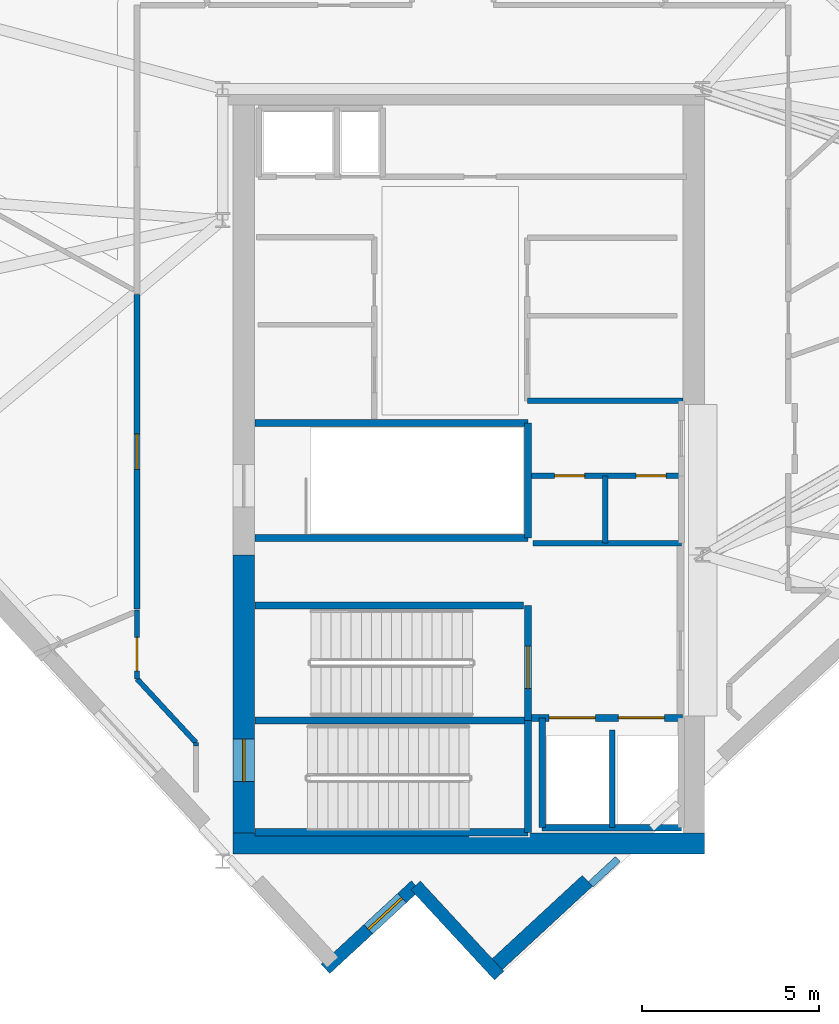
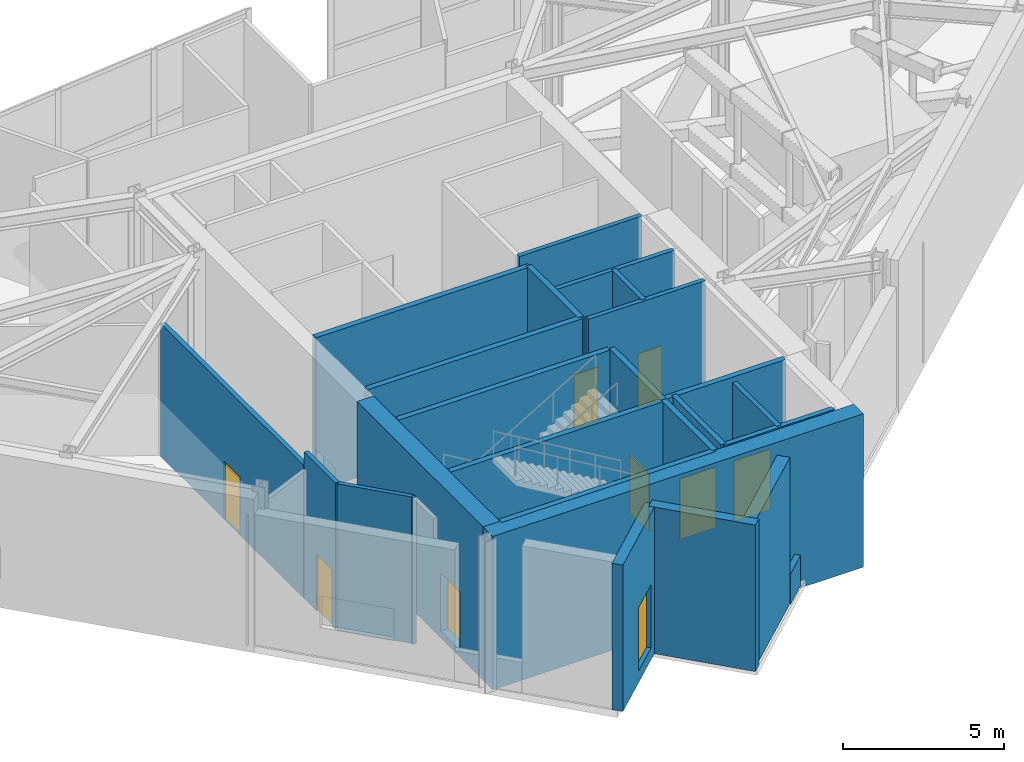
# One storey, part 9 of 15: 26 walls, 8 doors, 1 window, 9 openings.
"""IFC4 building model written with IfcOpenShell, lengths in metres."""

import ifcopenshell
import ifcopenshell.guid

model = None  # the IFC model being written
_history = None  # IfcOwnerHistory: only IFC2X3 demands one
_inside = {}  # id of a spatial element -> (the spatial element, [elements in it])
_under = {}  # id of a project, library or spatial element -> (it, [spatial elements below it])
_declared = {}  # id of a project -> (the project, [libraries it declares])
_typed = {}  # id of a type object -> (the type object, [elements of that type])
_made_of = {}  # id of a material, layer set ... -> (it, [elements and type objects made of it])


def new_model(schema):
    """Start an empty IFC model of exactly this schema.

    Asked for "IFC4X3", IfcOpenShell would pick the latest addendum, in which some entities
    have other attributes; the version numbers below select the first issue.
    IFC2X3 requires an IfcOwnerHistory on every rooted entity: one is made here for all.
    """
    global model, _history
    if schema == "IFC4X3":
        model = ifcopenshell.file(schema_version=(4, 3, 0, 0))
    else:
        model = ifcopenshell.file(schema=schema)
    _inside.clear()
    _under.clear()
    _declared.clear()
    _typed.clear()
    _made_of.clear()
    _history = None
    if model.schema == "IFC2X3":
        org = make("IfcOrganization", Name="unknown")
        user = make(
            "IfcPersonAndOrganization",
            ThePerson=make("IfcPerson", FamilyName="unknown"),
            TheOrganization=org,
        )
        app = make(
            "IfcApplication",
            ApplicationDeveloper=org,
            Version="unknown",
            ApplicationFullName="unknown",
            ApplicationIdentifier="unknown",
        )
        _history = make(
            "IfcOwnerHistory",
            OwningUser=user,
            OwningApplication=app,
            ChangeAction="ADDED",
            CreationDate=0,
        )
    return model


def make(cls, **values):
    """One entity of the class cls with the attributes given. An attribute that is None is left unset."""
    return model.create_entity(
        cls, **{name: value for name, value in values.items() if value is not None}
    )


def rooted(cls, **values):
    """An entity with a GlobalId (a new one), such as an element, a storey or a relation."""
    return make(cls, GlobalId=ifcopenshell.guid.new(), OwnerHistory=_history, **values)


def si_unit(unit_type, name, prefix=None):
    """IfcSIUnit, for example si_unit("LENGTHUNIT", "METRE", prefix="MILLI")."""
    return make("IfcSIUnit", UnitType=unit_type, Prefix=prefix, Name=name)


def assignment(units):
    """IfcUnitAssignment: the units of a project."""
    return None if units is None else make("IfcUnitAssignment", Units=units)


def point(xyz):
    """IfcCartesianPoint."""
    return None if xyz is None else make("IfcCartesianPoint", Coordinates=xyz)


def direction(xyz):
    """IfcDirection."""
    return None if xyz is None else make("IfcDirection", DirectionRatios=xyz)


def frame(location, z_axis=None, x_axis=None):
    """IfcAxis2Placement3D, a coordinate frame: its origin and axes. An axis left out is left unset."""
    return make(
        "IfcAxis2Placement3D",
        Location=point(location),
        Axis=direction(z_axis),
        RefDirection=direction(x_axis),
    )


def frame_2d(location, x_axis=None):
    """IfcAxis2Placement2D, a coordinate frame in the plane: its origin and x axis."""
    return make(
        "IfcAxis2Placement2D", Location=point(location), RefDirection=direction(x_axis)
    )


def origin():
    """The frame at (0, 0, 0) with its axes left unset."""
    return frame((0.0, 0.0, 0.0))


def place(relative_to, where):
    """IfcLocalPlacement: puts the frame where relative to a parent placement (None: the world)."""
    return make(
        "IfcLocalPlacement", PlacementRelTo=relative_to, RelativePlacement=where
    )


def context(
    kind, dimensions, precision=None, world=None, true_north=None, identifier=None
):
    """IfcGeometricRepresentationContext, for example the 3D "Model" context."""
    return make(
        "IfcGeometricRepresentationContext",
        ContextIdentifier=identifier,
        ContextType=kind,
        CoordinateSpaceDimension=dimensions,
        Precision=precision,
        WorldCoordinateSystem=world,
        TrueNorth=true_north,
    )


def subcontext(parent, identifier, kind, view, scale=None):
    """IfcGeometricRepresentationSubContext, for example "Body" below "Model"."""
    return make(
        "IfcGeometricRepresentationSubContext",
        ContextIdentifier=identifier,
        ContextType=kind,
        ParentContext=parent,
        TargetScale=scale,
        TargetView=view,
    )


def project(units=None, contexts=None):
    """IfcProject with its units and contexts."""
    return rooted(
        "IfcProject",
        Name="project",
        RepresentationContexts=contexts,
        UnitsInContext=assignment(units),
    )


def spatial(cls, under=None, at=None, **own):
    """A site, building, storey or space (cls), placed at a placement, below another one or the project."""
    s = rooted(cls, ObjectPlacement=at, **own)
    if under is not None:
        _under.setdefault(under.id(), (under, []))[1].append(s)
    return s


def profile(cls, at=None, kind="AREA", **sizes):
    """A parametric profile (cls). Its sizes go by their IFC names, for example OverallWidth=200.0."""
    return make(cls, ProfileType=kind, Position=at, **sizes)


def rectangle(**sizes):
    """IfcRectangleProfileDef."""
    return profile("IfcRectangleProfileDef", **sizes)


def extrude(swept, where, along, depth):
    """IfcExtrudedAreaSolid: the profile swept, set in the frame where, extruded along a direction by depth."""
    return make(
        "IfcExtrudedAreaSolid",
        SweptArea=swept,
        Position=where,
        ExtrudedDirection=direction(along),
        Depth=depth,
    )


def shape(context_of_items, identifier, shape_type, items):
    """IfcShapeRepresentation: the items that make up one representation, for example the "Body"."""
    return make(
        "IfcShapeRepresentation",
        ContextOfItems=context_of_items,
        RepresentationIdentifier=identifier,
        RepresentationType=shape_type,
        Items=items,
    )


def material(Name=None, Category=None):
    """IfcMaterial."""
    return make("IfcMaterial", Name=Name, Category=Category)


def layer(
    of_material, thickness, ventilated=None, Name=None, Category=None, Priority=None
):
    """IfcMaterialLayer: one layer of a wall or slab, of a material (None: an air gap)."""
    return make(
        "IfcMaterialLayer",
        Material=of_material,
        LayerThickness=thickness,
        IsVentilated=ventilated,
        Name=Name,
        Category=Category,
        Priority=Priority,
    )


def layer_set(layers, Name=None):
    """IfcMaterialLayerSet."""
    return make("IfcMaterialLayerSet", MaterialLayers=layers, LayerSetName=Name)


def made_of(thing, what):
    """Note that an element or type object is made of a material, layer set ...; save() writes the relation."""
    if what is not None:
        _made_of.setdefault(what.id(), (what, []))[1].append(thing)
    return thing


def type_object(cls, material=None, **own):
    """A type object (cls), such as IfcWallType, which elements share."""
    return made_of(rooted(cls, **own), material)


def element(
    cls,
    number,
    at=None,
    inside=None,
    cuts=None,
    type_object=None,
    material=None,
    context=None,
    identifier="Body",
    shape_type=None,
    held_by="IfcProductDefinitionShape",
    body=None,
    shapes=None,
    **own,
):
    """One element of the class cls, such as IfcWall. Its Tag is "e" and its number.

    at: its placement. inside: the storey or other place that contains it. cuts: it is an
    opening in that element (IfcRelVoidsElement). A single representation is given by context,
    identifier, shape_type and body (its items); several are given by shapes. held_by: the class
    of the entity that holds the representations. save() writes the other relations.
    """
    e = rooted(cls, Tag="e%d" % number, ObjectPlacement=at, **own)
    if body is not None:
        shapes = [shape(context, identifier, shape_type, body)]
    if shapes is not None:
        e.Representation = make(held_by, Representations=shapes)
    if inside is not None:
        _inside.setdefault(inside.id(), (inside, []))[1].append(e)
    if cuts is not None:
        rooted(
            "IfcRelVoidsElement", RelatingBuildingElement=cuts, RelatedOpeningElement=e
        )
    if type_object is not None:
        _typed.setdefault(type_object.id(), (type_object, []))[1].append(e)
    return made_of(e, material)


def fill(opening, filler):
    """IfcRelFillsElement: the door or window that sits in an opening."""
    return rooted(
        "IfcRelFillsElement",
        RelatingOpeningElement=opening,
        RelatedBuildingElement=filler,
    )


def aggregate(whole, parts):
    """IfcRelAggregates: a whole, such as a stair, and the parts it consists of."""
    return rooted("IfcRelAggregates", RelatingObject=whole, RelatedObjects=parts)


def save(model, path):
    """Write the relations noted so far, then the file.

    IfcRelAggregates (storeys below a building ...), IfcRelContainedInSpatialStructure (elements
    in a storey), IfcRelDefinesByType, IfcRelAssociatesMaterial and IfcRelDeclares: one each for
    every whole, place, type object, material and project.
    """
    for whole, parts in _under.values():
        aggregate(whole, parts)
    for where, things in _inside.values():
        rooted(
            "IfcRelContainedInSpatialStructure",
            RelatedElements=things,
            RelatingStructure=where,
        )
    for kind, things in _typed.values():
        rooted("IfcRelDefinesByType", RelatedObjects=things, RelatingType=kind)
    for what, things in _made_of.values():
        rooted("IfcRelAssociatesMaterial", RelatedObjects=things, RelatingMaterial=what)
    for by, libraries in _declared.values():
        rooted("IfcRelDeclares", RelatingContext=by, RelatedDefinitions=libraries)
    model.write(path)


model = new_model("IFC4")

# Units and contexts
model_context = context("Model", 3, precision=1e-05, world=origin(), true_north=direction((0.0, 1.0)))
body_context = subcontext(model_context, "Body", "Model", "MODEL_VIEW")
ifc_project = project(units=[si_unit("LENGTHUNIT", "METRE"), si_unit("AREAUNIT", "SQUARE_METRE"), si_unit("VOLUMEUNIT", "CUBIC_METRE"), si_unit("PLANEANGLEUNIT", "RADIAN"), si_unit("MASSUNIT", "GRAM", prefix="KILO")], contexts=[model_context])

# Site, building, storey
site_placement = place(None, origin())
site = spatial("IfcSite", under=ifc_project, at=site_placement, CompositionType="ELEMENT")
building_placement = place(site_placement, origin())
building = spatial("IfcBuilding", under=site, at=building_placement, Name="Narakoshi Arena Tower", CompositionType="ELEMENT")
storey_placement = place(building_placement, frame((0.0, 0.0, 292.419921875)))
storey = spatial("IfcBuildingStorey", under=building, at=storey_placement, Name="L80", CompositionType="ELEMENT", Elevation=292.419921875)

# Wall, opening, door
ifc_material_1 = material(Name="Concrete C50/60", Category="concrete")
ifc_layer_1 = layer(ifc_material_1, 0.60009765625)
ifc_layer_set_1 = layer_set([ifc_layer_1], Name="Concrete C50/60")
wall_type_1 = type_object("IfcWallType", Name="WL-CORE-600", PredefinedType="SHEAR", material=ifc_layer_set_1)
wall_1_placement = place(storey_placement, frame((72.60009765625, 35.5, -0.260009765625), z_axis=(0.0, 0.0, 1.0), x_axis=(0.0, 1.0, 0.0)))
wall_1 = element("IfcWall", 1, at=wall_1_placement, inside=storey, type_object=wall_type_1, Name="L80 Central Core Shear Wall CW-APX-W", PredefinedType="SHEAR", context=body_context, shape_type="SweptSolid", body=[
    extrude(rectangle(XDim=7.85009765625, YDim=0.60009765625, at=frame_2d((3.925048828125, 0.0))), origin(), (0.0, 0.0, 1.0), 5.820068359375),
])
opening_1_placement = place(wall_1_placement, frame((1.449951171875, 0.0, 0.260009765625)))
opening_1 = element("IfcOpeningElement", 2, at=opening_1_placement, cuts=wall_1, Name="Opening D-03", PredefinedType="OPENING", context=body_context, shape_type="SweptSolid", body=[
    extrude(rectangle(XDim=1.199951171875, YDim=2.199951171875, at=frame_2d((0.60009765625, 1.10009765625))), frame((0.0, 0.31005859375, 0.0), z_axis=(0.0, -1.0, 0.0), x_axis=(1.0, 0.0, 0.0)), (0.0, 0.0, 1.0), 0.6201171875),
])
ifc_material_2 = material(Name="Painted galvanized steel", Category="steel")
door_type_1 = type_object("IfcDoorType", Name="DR-STR-1200", OperationType="NOTDEFINED", PredefinedType="USERDEFINED", material=ifc_material_2)
door_1_placement = place(opening_1_placement, frame((1.199951171875, 0.0, 0.0), z_axis=(0.0, 0.0, 1.0), x_axis=(-1.0, 0.0, 0.0)))
door_1 = element("IfcDoor", 3, at=door_1_placement, inside=storey, type_object=door_type_1, Name="DR-L80-001", ObjectType="EXITDOOR", OperationType="SINGLE_SWING_LEFT", OverallHeight=2.199951171875, OverallWidth=1.199951171875, PredefinedType="USERDEFINED", context=body_context, shape_type="SweptSolid", body=[
    extrude(rectangle(XDim=1.199951171875, YDim=2.199951171875, at=frame_2d((0.60009765625, 1.10009765625))), frame((0.0, 0.02490234375, 0.0), z_axis=(0.0, -1.0, 0.0), x_axis=(1.0, 0.0, 0.0)), (0.0, 0.0, 1.0), 0.050048828125),
])
fill(opening_1, door_1)

# Wall
wall_2_placement = place(storey_placement, frame((72.300048828125, 35.199951171875, -0.260009765625), z_axis=(0.0, 0.0, 1.0), x_axis=(1.0, 0.0, 0.0)))
element("IfcWall", 4, at=wall_2_placement, inside=storey, type_object=wall_type_1, Name="L80 Central Core Shear Wall CW-APX-S", PredefinedType="SHEAR", context=body_context, shape_type="SweptSolid", body=[
    extrude(rectangle(XDim=13.300048828125, YDim=0.60009765625, at=frame_2d((6.64990234375, 0.0))), origin(), (0.0, 0.0, 1.0), 5.820068359375),
])

# Wall, opening, door
ifc_material_3 = material(Name="Gypsum plasterboard fire-rated partition")
ifc_layer_2 = layer(ifc_material_3, 0.1650390625)
ifc_layer_set_2 = layer_set([ifc_layer_2], Name="Gypsum plasterboard fire-rated partition")
wall_type_2 = type_object("IfcWallType", Name="WL-CORR-165", PredefinedType="PARTITIONING", material=ifc_layer_set_2)
wall_3_placement = place(storey_placement, frame((69.583251953125, 50.705810546875, 0.0), z_axis=(0.0, 0.0, 1.0), x_axis=(0.0, -1.0, 0.0)))
wall_3 = element("IfcWall", 5, at=wall_3_placement, inside=storey, type_object=wall_type_2, Name="L80 Corridor Partition 09-1", PredefinedType="PARTITIONING", context=body_context, shape_type="SweptSolid", body=[
    extrude(rectangle(XDim=8.88232421875, YDim=0.1650390625, at=frame_2d((4.441162109375, 0.0))), origin(), (0.0, 0.0, 1.0), 5.045166015625),
])
opening_2_placement = place(wall_3_placement, frame((3.941162109375, 0.0, 0.0)))
opening_2 = element("IfcOpeningElement", 6, at=opening_2_placement, cuts=wall_3, Name="Opening D-06", PredefinedType="OPENING", context=body_context, shape_type="SweptSolid", body=[
    extrude(rectangle(XDim=1.0, YDim=2.199951171875, at=frame_2d((0.5, 1.10009765625))), frame((0.0, 0.092529296875, 0.0), z_axis=(0.0, -1.0, 0.0), x_axis=(1.0, 0.0, 0.0)), (0.0, 0.0, 1.0), 0.18505859375),
])
ifc_material_4 = material(Name="Stained oak solid-core timber", Category="wood")
door_type_2 = type_object("IfcDoorType", Name="DR-OFF-1000", OperationType="NOTDEFINED", PredefinedType="DOOR", material=ifc_material_4)
door_2_placement = place(opening_2_placement, frame((1.0, 0.0, 0.0), z_axis=(0.0, 0.0, 1.0), x_axis=(-1.0, 0.0, 0.0)))
door_2 = element("IfcDoor", 7, at=door_2_placement, inside=storey, type_object=door_type_2, Name="DR-L80-025", OperationType="SINGLE_SWING_RIGHT", OverallHeight=2.199951171875, OverallWidth=1.0, PredefinedType="DOOR", context=body_context, shape_type="SweptSolid", body=[
    extrude(rectangle(XDim=1.0, YDim=2.199951171875, at=frame_2d((0.5, 1.10009765625))), frame((0.0, 0.02490234375, 0.0), z_axis=(0.0, -1.0, 0.0), x_axis=(1.0, 0.0, 0.0)), (0.0, 0.0, 1.0), 0.050048828125),
])
fill(opening_2, door_2)

# Walls
ifc_material_5 = material(Name="Precast concrete C45/55", Category="concrete")
ifc_layer_3 = layer(ifc_material_5, 0.25)
ifc_layer_set_3 = layer_set([ifc_layer_3], Name="Precast concrete C45/55")
wall_type_3 = type_object("IfcWallType", Name="WL-PARA-250", PredefinedType="PARAPET", material=ifc_layer_set_3)
wall_4_placement = place(storey_placement, frame((83.15625, 34.760009765625, 0.0), z_axis=(0.0, 0.0, 1.0), x_axis=(-0.734364355784, -0.678755473609, 0.0)))
element("IfcWall", 8, at=wall_4_placement, inside=storey, type_object=wall_type_3, Name="L80 Crown Sill Upstand Parapet 05", PredefinedType="PARAPET", context=body_context, shape_type="SweptSolid", body=[
    extrude(rectangle(XDim=1.044921875, YDim=0.199951171875, at=frame_2d((0.5224609375, 0.0))), origin(), (0.0, 0.0, 1.0), 1.150146484375),
])
ifc_layer_4 = layer(ifc_material_5, 0.419921875)
ifc_layer_set_4 = layer_set([ifc_layer_4], Name="Precast concrete C45/55")
wall_type_4 = type_object("IfcWallType", Name="WL-POD-420", PredefinedType="SOLIDWALL", material=ifc_layer_set_4)
wall_5_placement = place(storey_placement, frame((79.618896484375, 31.674072265625, 0.0), z_axis=(0.0, 0.0, 1.0), x_axis=(0.734338793707, 0.678783128884, 0.0)))
element("IfcWall", 9, at=wall_5_placement, inside=storey, type_object=wall_type_4, Name="L80 Architectural Concrete Facade Wall LEGA-1", PredefinedType="SOLIDWALL", context=body_context, shape_type="SweptSolid", body=[
    extrude(rectangle(XDim=3.6474609375, YDim=0.419921875, at=frame_2d((1.82373046875, 0.0))), origin(), (0.0, 0.0, 1.0), 5.56005859375),
])

# Wall, opening, window
wall_6_placement = place(storey_placement, frame((74.9033203125, 31.664794921875, 0.0), z_axis=(0.0, 0.0, 1.0), x_axis=(0.734325680362, 0.678797315228, 0.0)))
wall_6 = element("IfcWall", 10, at=wall_6_placement, inside=storey, type_object=wall_type_4, Name="L80 Re-Entrant Corner Notch Wall NTA-1", PredefinedType="SOLIDWALL", context=body_context, shape_type="SweptSolid", body=[
    extrude(rectangle(XDim=3.468994140625, YDim=0.360107421875, at=frame_2d((1.734375, 0.0))), origin(), (0.0, 0.0, 1.0), 5.56005859375),
])
opening_3_placement = place(wall_6_placement, frame((1.64306640625, 0.0, 0.449951171875)))
opening_3 = element("IfcOpeningElement", 11, at=opening_3_placement, cuts=wall_6, Name="Opening WN-06", PredefinedType="OPENING", context=body_context, shape_type="SweptSolid", body=[
    extrude(rectangle(XDim=1.300048828125, YDim=2.39990234375, at=frame_2d((0.64990234375, 1.199951171875))), frame((0.0, 0.18994140625, 0.0), z_axis=(0.0, -1.0, 0.0), x_axis=(1.0, 0.0, 0.0)), (0.0, 0.0, 1.0), 0.380126953125),
])
ifc_material_6 = material(Name="Bronze-tinted low-E laminated glass", Category="glass")
window_type = type_object("IfcWindowType", Name="WIN-NTC-16x24", PartitioningType="SINGLE_PANEL", PredefinedType="WINDOW", material=ifc_material_6)
window_placement = place(opening_3_placement, origin())
window = element("IfcWindow", 12, at=window_placement, inside=storey, type_object=window_type, Name="L80 Corner Notch Window NTA", OverallHeight=2.39990234375, OverallWidth=1.300048828125, PartitioningType="SINGLE_PANEL", PredefinedType="WINDOW", context=body_context, shape_type="SweptSolid", body=[
    extrude(rectangle(XDim=1.300048828125, YDim=2.39990234375, at=frame_2d((0.64990234375, 1.199951171875))), frame((0.0, 0.030029296875, 0.0), z_axis=(0.0, -1.0, 0.0), x_axis=(1.0, 0.0, 0.0)), (0.0, 0.0, 1.0), 0.06005859375),
])
fill(opening_3, window)

# Walls
wall_7_placement = place(storey_placement, frame((77.45068359375, 34.01953125, 0.0), z_axis=(0.0, 0.0, 1.0), x_axis=(0.678835262818, -0.734290600481, 0.0)))
element("IfcWall", 13, at=wall_7_placement, inside=storey, type_object=wall_type_4, Name="L80 Re-Entrant Corner Notch Wall NTA-2", PredefinedType="SOLIDWALL", context=body_context, shape_type="SweptSolid", body=[
    extrude(rectangle(XDim=3.46923828125, YDim=0.360107421875, at=frame_2d((1.734619140625, 0.0))), origin(), (0.0, 0.0, 1.0), 5.56005859375),
])
ifc_material_7 = material(Name="Concrete C40/50", Category="concrete")
ifc_layer_5 = layer(ifc_material_7, 0.280029296875)
ifc_layer_set_5 = layer_set([ifc_layer_5], Name="Concrete C40/50")
wall_type_5 = type_object("IfcWallType", Name="WL-RISER-280", PredefinedType="PLUMBINGWALL", material=ifc_layer_set_5)
wall_8_placement = place(storey_placement, frame((83.0, 35.64990234375, 0.0), z_axis=(0.0, 0.0, 1.0), x_axis=(0.0, 1.0, 0.0)))
element("IfcWall", 14, at=wall_8_placement, inside=storey, type_object=wall_type_5, Name="L80 Core Wall FF-DIV", PredefinedType="PLUMBINGWALL", context=body_context, shape_type="SweptSolid", body=[
    extrude(rectangle(XDim=2.75, YDim=0.159912109375, at=frame_2d((1.375, 0.0))), origin(), (0.0, 0.0, 1.0), 5.56005859375),
])

# Wall, openings, doors
wall_9_placement = place(storey_placement, frame((80.719970703125, 45.580078125, 0.0), z_axis=(0.0, 0.0, 1.0), x_axis=(1.0, 0.0, 0.0)))
wall_9 = element("IfcWall", 15, at=wall_9_placement, inside=storey, type_object=wall_type_5, Name="L80 Core Wall RSR-N", PredefinedType="PLUMBINGWALL", context=body_context, shape_type="SweptSolid", body=[
    extrude(rectangle(XDim=4.22998046875, YDim=0.159912109375, at=frame_2d((2.114990234375, 0.0))), origin(), (0.0, 0.0, 1.0), 5.56005859375),
])
opening_4_placement = place(wall_9_placement, frame((0.64990234375, 0.0, 0.0)))
opening_4 = element("IfcOpeningElement", 16, at=opening_4_placement, cuts=wall_9, Name="Opening D-10", PredefinedType="OPENING", context=body_context, shape_type="SweptSolid", body=[
    extrude(rectangle(XDim=0.85009765625, YDim=2.050048828125, at=frame_2d((0.425048828125, 1.02490234375))), frame((0.0, 0.08984375, 0.0), z_axis=(0.0, -1.0, 0.0), x_axis=(1.0, 0.0, 0.0)), (0.0, 0.0, 1.0), 0.179931640625),
])
opening_5_placement = place(wall_9_placement, frame((2.949951171875, 0.0, 0.0)))
opening_5 = element("IfcOpeningElement", 17, at=opening_5_placement, cuts=wall_9, Name="Opening D-10", PredefinedType="OPENING", context=body_context, shape_type="SweptSolid", body=[
    extrude(rectangle(XDim=0.85009765625, YDim=2.050048828125, at=frame_2d((0.425048828125, 1.02490234375))), frame((0.0, 0.08984375, 0.0), z_axis=(0.0, -1.0, 0.0), x_axis=(1.0, 0.0, 0.0)), (0.0, 0.0, 1.0), 0.179931640625),
])
door_type_3 = type_object("IfcDoorType", Name="DR-RSR-850", OperationType="NOTDEFINED", PredefinedType="DOOR", material=ifc_material_2)
door_3_placement = place(opening_4_placement, frame((0.85009765625, 0.0, 0.0), z_axis=(0.0, 0.0, 1.0), x_axis=(-1.0, 0.0, 0.0)))
door_3 = element("IfcDoor", 18, at=door_3_placement, inside=storey, type_object=door_type_3, Name="DR-L80-008", OperationType="SINGLE_SWING_LEFT", OverallHeight=2.050048828125, OverallWidth=0.85009765625, PredefinedType="DOOR", context=body_context, shape_type="SweptSolid", body=[
    extrude(rectangle(XDim=0.85009765625, YDim=2.050048828125, at=frame_2d((0.425048828125, 1.02490234375))), frame((0.0, 0.02490234375, 0.0), z_axis=(0.0, -1.0, 0.0), x_axis=(1.0, 0.0, 0.0)), (0.0, 0.0, 1.0), 0.050048828125),
])
fill(opening_4, door_3)
door_4_placement = place(opening_5_placement, frame((0.85009765625, 0.0, 0.0), z_axis=(0.0, 0.0, 1.0), x_axis=(-1.0, 0.0, 0.0)))
door_4 = element("IfcDoor", 19, at=door_4_placement, inside=storey, type_object=door_type_3, Name="DR-L80-009", OperationType="SINGLE_SWING_RIGHT", OverallHeight=2.050048828125, OverallWidth=0.85009765625, PredefinedType="DOOR", context=body_context, shape_type="SweptSolid", body=[
    extrude(rectangle(XDim=0.85009765625, YDim=2.050048828125, at=frame_2d((0.425048828125, 1.02490234375))), frame((0.0, 0.02490234375, 0.0), z_axis=(0.0, -1.0, 0.0), x_axis=(1.0, 0.0, 0.0)), (0.0, 0.0, 1.0), 0.050048828125),
])
fill(opening_5, door_4)

# Walls
wall_10_placement = place(storey_placement, frame((80.760009765625, 43.679931640625, 0.0), z_axis=(0.0, 0.0, 1.0), x_axis=(1.0, 0.0, 0.0)))
element("IfcWall", 20, at=wall_10_placement, inside=storey, type_object=wall_type_5, Name="L80 Core Wall RSR-S", PredefinedType="PLUMBINGWALL", context=body_context, shape_type="SweptSolid", body=[
    extrude(rectangle(XDim=4.18994140625, YDim=0.159912109375, at=frame_2d((2.094970703125, 0.0))), origin(), (0.0, 0.0, 1.0), 5.56005859375),
])
wall_11_placement = place(storey_placement, frame((82.800048828125, 43.679931640625, 0.0), z_axis=(0.0, 0.0, 1.0), x_axis=(0.0, 1.0, 0.0)))
element("IfcWall", 21, at=wall_11_placement, inside=storey, type_object=wall_type_5, Name="L80 Core Wall RSR-M", PredefinedType="PLUMBINGWALL", context=body_context, shape_type="SweptSolid", body=[
    extrude(rectangle(XDim=1.900146484375, YDim=0.159912109375, at=frame_2d((0.9501953125, 0.0))), origin(), (0.0, 0.0, 1.0), 5.56005859375),
])
ifc_layer_6 = layer(ifc_material_1, 0.35009765625)
ifc_layer_set_6 = layer_set([ifc_layer_6], Name="Concrete C50/60")
wall_type_6 = type_object("IfcWallType", Name="WL-SHAFT-350", PredefinedType="SOLIDWALL", material=ifc_layer_set_6)
for number, where, z_axis, x_axis, name in (
    (22, (72.919921875, 35.52001953125, -0.260009765625), (0.0, 0.0, 1.0), (1.0, 0.0, 0.0), "L80 Core Wall ST1-S"),
    (23, (72.919921875, 38.675048828125, -0.260009765625), (0.0, 0.0, 1.0), (1.0, 0.0, 0.0), "L80 Core Wall ST12-DIV"),
):
    element("IfcWall", number, at=place(storey_placement, frame(where, z_axis=z_axis, x_axis=x_axis)), inside=storey, type_object=wall_type_6, Name=name, PredefinedType="SOLIDWALL", context=body_context, shape_type="SweptSolid", body=[
        extrude(rectangle(XDim=7.7001953125, YDim=0.199951171875, at=frame_2d((3.85009765625, 0.0))), origin(), (0.0, 0.0, 1.0), 5.820068359375),
    ])
wall_12_placement = place(storey_placement, frame((80.6201171875, 35.52001953125, -0.260009765625), z_axis=(0.0, 0.0, 1.0), x_axis=(0.0, 1.0, 0.0)))
element("IfcWall", 24, at=wall_12_placement, inside=storey, type_object=wall_type_6, Name="L80 Core Wall ST1-E", PredefinedType="SOLIDWALL", context=body_context, shape_type="SweptSolid", body=[
    extrude(rectangle(XDim=3.155029296875, YDim=0.199951171875, at=frame_2d((1.57763671875, 0.0))), origin(), (0.0, 0.0, 1.0), 5.820068359375),
])

# Wall, opening, door
wall_13_placement = place(storey_placement, frame((80.6201171875, 38.675048828125, -0.260009765625), z_axis=(0.0, 0.0, 1.0), x_axis=(0.0, 1.0, 0.0)))
wall_13 = element("IfcWall", 25, at=wall_13_placement, inside=storey, type_object=wall_type_6, Name="L80 Core Wall ST2-E", PredefinedType="SOLIDWALL", context=body_context, shape_type="SweptSolid", body=[
    extrude(rectangle(XDim=3.244873046875, YDim=0.199951171875, at=frame_2d((1.62255859375, 0.0))), origin(), (0.0, 0.0, 1.0), 5.820068359375),
])
opening_6_placement = place(wall_13_placement, frame((0.89990234375, 0.0, 0.260009765625)))
opening_6 = element("IfcOpeningElement", 26, at=opening_6_placement, cuts=wall_13, Name="Opening D-03", PredefinedType="OPENING", context=body_context, shape_type="SweptSolid", body=[
    extrude(rectangle(XDim=1.199951171875, YDim=2.199951171875, at=frame_2d((0.60009765625, 1.10009765625))), frame((0.0, 0.10986328125, 0.0), z_axis=(0.0, -1.0, 0.0), x_axis=(1.0, 0.0, 0.0)), (0.0, 0.0, 1.0), 0.219970703125),
])
door_5_placement = place(opening_6_placement, origin())
door_5 = element("IfcDoor", 27, at=door_5_placement, inside=storey, type_object=door_type_1, Name="DR-L80-002", ObjectType="EXITDOOR", OperationType="SINGLE_SWING_RIGHT", OverallHeight=2.199951171875, OverallWidth=1.199951171875, PredefinedType="USERDEFINED", context=body_context, shape_type="SweptSolid", body=[
    extrude(rectangle(XDim=1.199951171875, YDim=2.199951171875, at=frame_2d((0.60009765625, 1.10009765625))), frame((0.0, 0.02490234375, 0.0), z_axis=(0.0, -1.0, 0.0), x_axis=(1.0, 0.0, 0.0)), (0.0, 0.0, 1.0), 0.050048828125),
])
fill(opening_6, door_5)

# Wall, openings, doors
wall_14_placement = place(storey_placement, frame((80.719970703125, 38.75, 0.0), z_axis=(0.0, 0.0, 1.0), x_axis=(1.0, 0.0, 0.0)))
wall_14 = element("IfcWall", 28, at=wall_14_placement, inside=storey, type_object=wall_type_6, Name="L80 Core Wall FF-N", PredefinedType="SOLIDWALL", context=body_context, shape_type="SweptSolid", body=[
    extrude(rectangle(XDim=4.260009765625, YDim=0.199951171875, at=frame_2d((2.1298828125, 0.0))), origin(), (0.0, 0.0, 1.0), 5.56005859375),
])
opening_7_placement = place(wall_14_placement, frame((0.5, 0.0, 0.0)))
opening_7 = element("IfcOpeningElement", 29, at=opening_7_placement, cuts=wall_14, Name="Opening LD-02", PredefinedType="OPENING", context=body_context, shape_type="SweptSolid", body=[
    extrude(rectangle(XDim=1.300048828125, YDim=2.300048828125, at=frame_2d((0.64990234375, 1.14990234375))), frame((0.0, 0.10986328125, 0.0), z_axis=(0.0, -1.0, 0.0), x_axis=(1.0, 0.0, 0.0)), (0.0, 0.0, 1.0), 0.219970703125),
])
opening_8_placement = place(wall_14_placement, frame((2.449951171875, 0.0, 0.0)))
opening_8 = element("IfcOpeningElement", 30, at=opening_8_placement, cuts=wall_14, Name="Opening LD-02", PredefinedType="OPENING", context=body_context, shape_type="SweptSolid", body=[
    extrude(rectangle(XDim=1.300048828125, YDim=2.300048828125, at=frame_2d((0.64990234375, 1.14990234375))), frame((0.0, 0.10986328125, 0.0), z_axis=(0.0, -1.0, 0.0), x_axis=(1.0, 0.0, 0.0)), (0.0, 0.0, 1.0), 0.219970703125),
])
ifc_material_8 = material(Name="Brushed bronze stainless steel", Category="steel")
door_type_4 = type_object("IfcDoorType", Name="DR-LFT-1300", OperationType="DOUBLE_DOOR_SLIDING", PredefinedType="DOOR", material=ifc_material_8)
door_6_placement = place(opening_7_placement, origin())
door_6 = element("IfcDoor", 31, at=door_6_placement, inside=storey, type_object=door_type_4, Name="DR-L80-003", OperationType="DOUBLE_DOOR_SLIDING", OverallHeight=2.300048828125, OverallWidth=1.300048828125, PredefinedType="DOOR", context=body_context, shape_type="SweptSolid", body=[
    extrude(rectangle(XDim=1.300048828125, YDim=2.300048828125, at=frame_2d((0.64990234375, 1.14990234375))), frame((0.0, 0.02490234375, 0.0), z_axis=(0.0, -1.0, 0.0), x_axis=(1.0, 0.0, 0.0)), (0.0, 0.0, 1.0), 0.050048828125),
])
fill(opening_7, door_6)
door_7_placement = place(opening_8_placement, origin())
door_7 = element("IfcDoor", 32, at=door_7_placement, inside=storey, type_object=door_type_4, Name="DR-L80-004", OperationType="DOUBLE_DOOR_SLIDING", OverallHeight=2.300048828125, OverallWidth=1.300048828125, PredefinedType="DOOR", context=body_context, shape_type="SweptSolid", body=[
    extrude(rectangle(XDim=1.300048828125, YDim=2.300048828125, at=frame_2d((0.64990234375, 1.14990234375))), frame((0.0, 0.02490234375, 0.0), z_axis=(0.0, -1.0, 0.0), x_axis=(1.0, 0.0, 0.0)), (0.0, 0.0, 1.0), 0.050048828125),
])
fill(opening_8, door_7)

# Walls
wall_15_placement = place(storey_placement, frame((81.02001953125, 35.64990234375, 0.0), z_axis=(0.0, 0.0, 1.0), x_axis=(0.0, 1.0, 0.0)))
element("IfcWall", 33, at=wall_15_placement, inside=storey, type_object=wall_type_6, Name="L80 Core Wall FF-W", PredefinedType="SOLIDWALL", context=body_context, shape_type="SweptSolid", body=[
    extrude(rectangle(XDim=3.10009765625, YDim=0.179931640625, at=frame_2d((1.550048828125, 0.0))), origin(), (0.0, 0.0, 1.0), 5.56005859375),
])
wall_16_placement = place(storey_placement, frame((81.02001953125, 35.64990234375, 0.0), z_axis=(0.0, 0.0, 1.0), x_axis=(1.0, 0.0, 0.0)))
element("IfcWall", 34, at=wall_16_placement, inside=storey, type_object=wall_type_6, Name="L80 Core Wall FF-S", PredefinedType="SOLIDWALL", context=body_context, shape_type="SweptSolid", body=[
    extrude(rectangle(XDim=3.929931640625, YDim=0.179931640625, at=frame_2d((1.96484375, 0.0))), origin(), (0.0, 0.0, 1.0), 5.56005859375),
])
wall_17_placement = place(storey_placement, frame((72.919921875, 41.919921875, -0.260009765625), z_axis=(0.0, 0.0, 1.0), x_axis=(1.0, 0.0, 0.0)))
element("IfcWall", 35, at=wall_17_placement, inside=storey, type_object=wall_type_6, Name="L80 Core Wall ST2-N", PredefinedType="SOLIDWALL", context=body_context, shape_type="SweptSolid", body=[
    extrude(rectangle(XDim=7.580078125, YDim=0.199951171875, at=frame_2d((3.7900390625, 0.0))), origin(), (0.0, 0.0, 1.0), 5.820068359375),
])
for number, where, z_axis, x_axis, name in (
    (36, (72.919921875, 43.830078125, -0.260009765625), (0.0, 0.0, 1.0), (1.0, 0.0, 0.0), "L80 Core Wall ST3-S"),
    (37, (72.919921875, 47.070068359375, -0.260009765625), (0.0, 0.0, 1.0), (1.0, 0.0, 0.0), "L80 Core Wall ST3-N"),
):
    element("IfcWall", number, at=place(storey_placement, frame(where, z_axis=z_axis, x_axis=x_axis)), inside=storey, type_object=wall_type_6, Name=name, PredefinedType="SOLIDWALL", context=body_context, shape_type="SweptSolid", body=[
        extrude(rectangle(XDim=7.7001953125, YDim=0.199951171875, at=frame_2d((3.85009765625, 0.0))), origin(), (0.0, 0.0, 1.0), 5.820068359375),
    ])
wall_18_placement = place(storey_placement, frame((80.6201171875, 43.830078125, -0.260009765625), z_axis=(0.0, 0.0, 1.0), x_axis=(0.0, 1.0, 0.0)))
element("IfcWall", 38, at=wall_18_placement, inside=storey, type_object=wall_type_6, Name="L80 Core Wall ST3-E", PredefinedType="SOLIDWALL", context=body_context, shape_type="SweptSolid", body=[
    extrude(rectangle(XDim=3.239990234375, YDim=0.199951171875, at=frame_2d((1.6201171875, 0.0))), origin(), (0.0, 0.0, 1.0), 5.820068359375),
])
wall_19_placement = place(storey_placement, frame((80.60009765625, 47.699951171875, 0.0), z_axis=(0.0, 0.0, 1.0), x_axis=(1.0, 0.0, 0.0)))
element("IfcWall", 39, at=wall_19_placement, inside=storey, type_object=wall_type_6, Name="L80 Core Wall MR-S", PredefinedType="SOLIDWALL", context=body_context, shape_type="SweptSolid", body=[
    extrude(rectangle(XDim=4.39990234375, YDim=0.159912109375, at=frame_2d((2.199951171875, 0.0))), origin(), (0.0, 0.0, 1.0), 5.56005859375),
])
ifc_material_9 = material(Name="Moisture-resistant cement-board partition")
ifc_layer_7 = layer(ifc_material_9, 0.14501953125)
ifc_layer_set_7 = layer_set([ifc_layer_7], Name="Moisture-resistant cement-board partition")
wall_type_7 = type_object("IfcWallType", Name="WL-WET-145", PredefinedType="PARTITIONING", material=ifc_layer_set_7)
wall_20_placement = place(storey_placement, frame((69.583251953125, 39.8505859375, 0.0), z_axis=(0.0, 0.0, 1.0), x_axis=(0.678820916853, -0.734303862745, 0.0)))
element("IfcWall", 40, at=wall_20_placement, inside=storey, type_object=wall_type_7, Name="L80 Corridor Partition 01-1", PredefinedType="PARTITIONING", context=body_context, shape_type="SweptSolid", body=[
    extrude(rectangle(XDim=2.455322265625, YDim=0.14501953125, at=frame_2d((1.2275390625, 0.0))), origin(), (0.0, 0.0, 1.0), 5.56005859375),
])

# Wall, opening, door
wall_21_placement = place(storey_placement, frame((69.583251953125, 41.797607421875, 0.0), z_axis=(0.0, 0.0, 1.0), x_axis=(0.0, -1.0, 0.0)))
wall_21 = element("IfcWall", 41, at=wall_21_placement, inside=storey, type_object=wall_type_7, Name="L80 Corridor Partition 01-2", PredefinedType="PARTITIONING", context=body_context, shape_type="SweptSolid", body=[
    extrude(rectangle(XDim=1.947021484375, YDim=0.14501953125, at=frame_2d((0.9736328125, 0.0))), origin(), (0.0, 0.0, 1.0), 5.56005859375),
])
opening_9_placement = place(wall_21_placement, frame((0.77294921875, 0.0, 0.0)))
opening_9 = element("IfcOpeningElement", 42, at=opening_9_placement, cuts=wall_21, Name="Opening D-07", PredefinedType="OPENING", context=body_context, shape_type="SweptSolid", body=[
    extrude(rectangle(XDim=0.949951171875, YDim=2.14990234375, at=frame_2d((0.47509765625, 1.074951171875))), frame((0.0, 0.08251953125, 0.0), z_axis=(0.0, -1.0, 0.0), x_axis=(1.0, 0.0, 0.0)), (0.0, 0.0, 1.0), 0.1650390625),
])
door_type_5 = type_object("IfcDoorType", Name="DR-ACC-950", OperationType="NOTDEFINED", PredefinedType="DOOR", material=ifc_material_4)
door_8_placement = place(opening_9_placement, frame((0.949951171875, 0.0, 0.0), z_axis=(0.0, 0.0, 1.0), x_axis=(-1.0, 0.0, 0.0)))
door_8 = element("IfcDoor", 43, at=door_8_placement, inside=storey, type_object=door_type_5, Name="DR-L80-017", OperationType="SINGLE_SWING_LEFT", OverallHeight=2.14990234375, OverallWidth=0.949951171875, PredefinedType="DOOR", context=body_context, shape_type="SweptSolid", body=[
    extrude(rectangle(XDim=0.949951171875, YDim=2.14990234375, at=frame_2d((0.47509765625, 1.074951171875))), frame((0.0, 0.02490234375, 0.0), z_axis=(0.0, -1.0, 0.0), x_axis=(1.0, 0.0, 0.0)), (0.0, 0.0, 1.0), 0.050048828125),
])
fill(opening_9, door_8)

# Wall
wall_22_placement = place(storey_placement, frame((71.25, 38.047607421875, 0.0), z_axis=(0.0, 0.0, 1.0), x_axis=(0.0, -1.0, 0.0)))
element("IfcWall", 44, at=wall_22_placement, inside=storey, type_object=wall_type_7, Name="L80 Corridor Partition 01-3", PredefinedType="PARTITIONING", context=body_context, shape_type="SweptSolid", body=[
    extrude(rectangle(XDim=0.088623046875, YDim=0.14501953125, at=frame_2d((0.04443359375, 0.0))), origin(), (0.0, 0.0, 1.0), 5.56005859375),
])

save(model, "model.ifc")
